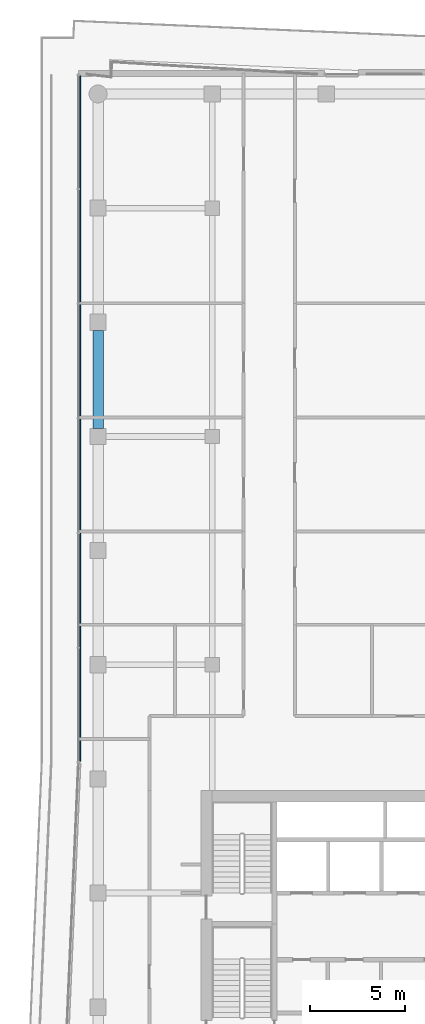
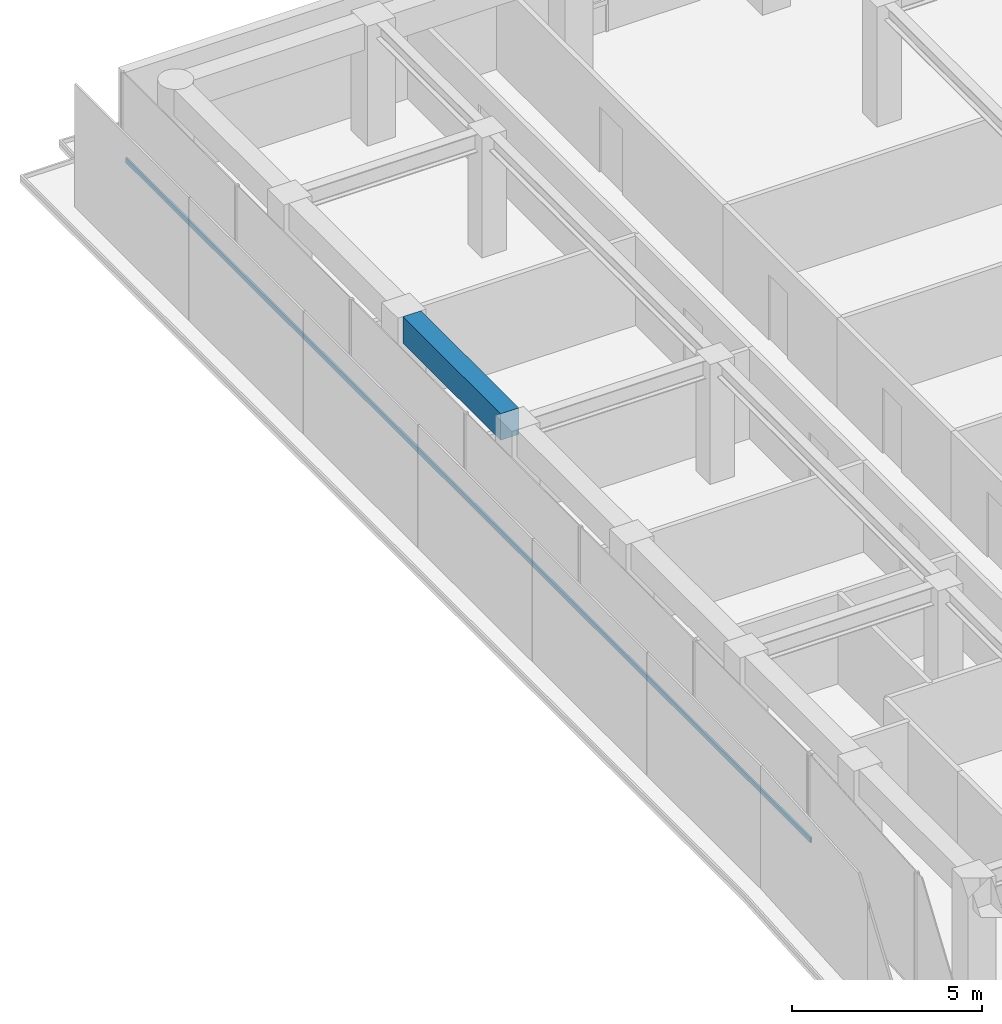
# One storey, part 10 of 21: 1 beam, 1 member, 1 element without a shape of its own.
"""IFC4 building model written with IfcOpenShell, lengths in metres."""

from ifc_helpers import new_model, si_unit, direction, frame, origin, origin_2d, place, context, subcontext, project, spatial, rectangle, extrude, material, layer, layer_set, material_profile, profile_set, type_object, element, aggregate, save


model = new_model("IFC4")

# Units and contexts
model_context = context("Model", 3, precision=1e-05, world=origin(), true_north=direction((0.0, 1.0)))
body_context = subcontext(model_context, "Body", "Model", "MODEL_VIEW")
ifc_project = project(units=[si_unit("LENGTHUNIT", "METRE"), si_unit("AREAUNIT", "SQUARE_METRE"), si_unit("VOLUMEUNIT", "CUBIC_METRE"), si_unit("PLANEANGLEUNIT", "RADIAN"), si_unit("MASSUNIT", "GRAM", prefix="KILO")], contexts=[model_context])

# Site, building, storey
site_placement = place(None, origin())
site = spatial("IfcSite", under=ifc_project, at=site_placement, CompositionType="ELEMENT")
building_placement = place(site_placement, origin())
building = spatial("IfcBuilding", under=site, at=building_placement, Name="Welwitschia Terrace Campus", CompositionType="ELEMENT")
storey_placement = place(building_placement, frame((0.0, 0.0, 159.199951171875)))
storey = spatial("IfcBuildingStorey", under=building, at=storey_placement, Name="L35", CompositionType="ELEMENT", Elevation=159.199951171875)

# Beam
ifc_material_1 = material(Name="Concrete C50/60", Category="concrete")
ifc_material_profile_1 = material_profile(ifc_material_1, rectangle(XDim=0.550048828125, YDim=0.85009765625, at=origin_2d()))
ifc_profile_set_1 = profile_set([ifc_material_profile_1], Name="Concrete C50/60")
beam_type = type_object("IfcBeamType", Name="Ring spandrel 550x850", PredefinedType="SPANDREL", material=ifc_profile_set_1)
beam_placement = place(storey_placement, frame((0.0, 49.574462890625, 3.425048828125), z_axis=(0.0, -1.0, 0.0), x_axis=(1.0, 0.0, 0.0)))
element("IfcBeam", 1, at=beam_placement, inside=storey, type_object=beam_type, Name="Spandrel SP3", PredefinedType="SPANDREL", context=body_context, shape_type="SweptSolid", body=[
    extrude(rectangle(XDim=0.550048828125, YDim=0.85009765625, at=origin_2d()), origin(), (0.0, 0.0, 1.0), 5.14892578125),
])

# Curtain wall, member
ifc_material_2 = material(Name="Bronze anodised aluminium", Category="aluminium")
ifc_layer = layer(ifc_material_2, 0.1201171875)
ifc_layer_set = layer_set([ifc_layer], Name="Bronze anodised aluminium")
curtain_wall_type = type_object("IfcCurtainWallType", Name="Curtain wall CW2 tower 6000", PredefinedType="NOTDEFINED", material=ifc_layer_set)
curtain_wall_placement = place(storey_placement, origin())
curtain_wall = element("IfcCurtainWall", 2, at=curtain_wall_placement, inside=storey, type_object=curtain_wall_type, Name="CW L35.11.0", PredefinedType="NOTDEFINED")
ifc_material_3 = material(Name="Bronze anodised aluminium", Category="aluminium")
ifc_material_profile_2 = material_profile(ifc_material_3, rectangle(XDim=0.06005859375, YDim=0.14990234375, at=origin_2d()))
ifc_profile_set_2 = profile_set([ifc_material_profile_2], Name="Bronze anodised aluminium")
member_type = type_object("IfcMemberType", Name="Transom 60x150", PredefinedType="USERDEFINED", material=ifc_profile_set_2)
member_placement = place(storey_placement, frame((-0.93994140625, 62.969970703125, 1.0), z_axis=(0.0, -1.0, 0.0), x_axis=(1.0, 0.0, 0.0)))
member = element("IfcMember", 3, at=member_placement, type_object=member_type, Name="Transom L35.11.0", ObjectType="TRANSOM", PredefinedType="USERDEFINED", context=body_context, shape_type="SweptSolid", body=[
    extrude(rectangle(XDim=0.06005859375, YDim=0.14990234375, at=origin_2d()), origin(), (0.0, 0.0, 1.0), 36.040771484375),
])
aggregate(curtain_wall, [member])

save(model, "model.ifc")
